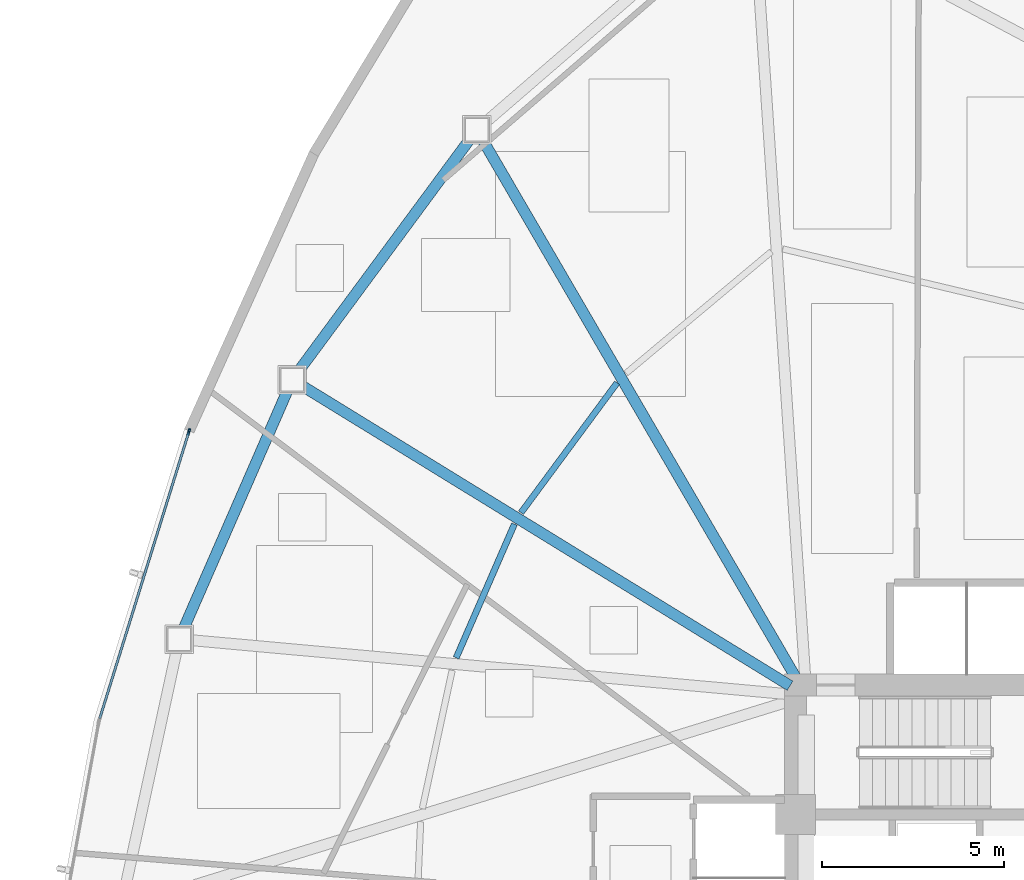
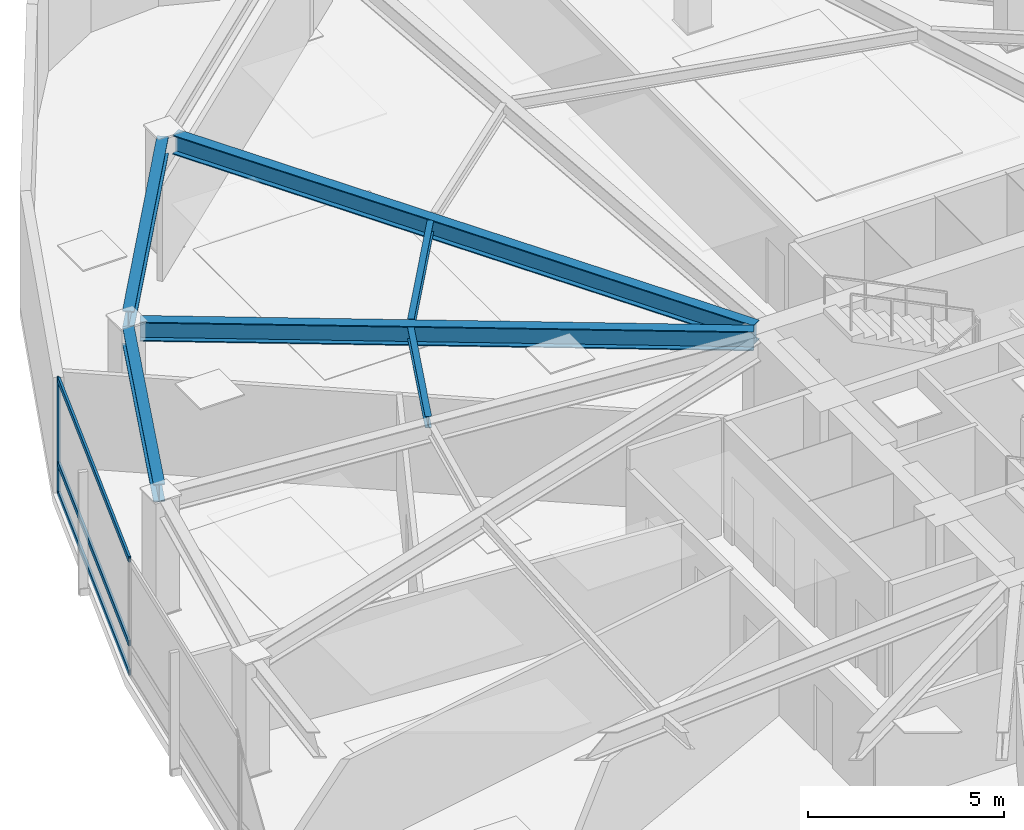
# One storey, part 7 of 17: 6 beams, 4 members, 1 element without a shape of its own.
"""IFC4 building model written with IfcOpenShell, lengths in metres."""

import ifcopenshell
import ifcopenshell.guid

model = None  # the IFC model being written
_history = None  # IfcOwnerHistory: only IFC2X3 demands one
_inside = {}  # id of a spatial element -> (the spatial element, [elements in it])
_under = {}  # id of a project, library or spatial element -> (it, [spatial elements below it])
_declared = {}  # id of a project -> (the project, [libraries it declares])
_typed = {}  # id of a type object -> (the type object, [elements of that type])
_made_of = {}  # id of a material, layer set ... -> (it, [elements and type objects made of it])


def new_model(schema):
    """Start an empty IFC model of exactly this schema.

    Asked for "IFC4X3", IfcOpenShell would pick the latest addendum, in which some entities
    have other attributes; the version numbers below select the first issue.
    IFC2X3 requires an IfcOwnerHistory on every rooted entity: one is made here for all.
    """
    global model, _history
    if schema == "IFC4X3":
        model = ifcopenshell.file(schema_version=(4, 3, 0, 0))
    else:
        model = ifcopenshell.file(schema=schema)
    _inside.clear()
    _under.clear()
    _declared.clear()
    _typed.clear()
    _made_of.clear()
    _history = None
    if model.schema == "IFC2X3":
        org = make("IfcOrganization", Name="unknown")
        user = make(
            "IfcPersonAndOrganization",
            ThePerson=make("IfcPerson", FamilyName="unknown"),
            TheOrganization=org,
        )
        app = make(
            "IfcApplication",
            ApplicationDeveloper=org,
            Version="unknown",
            ApplicationFullName="unknown",
            ApplicationIdentifier="unknown",
        )
        _history = make(
            "IfcOwnerHistory",
            OwningUser=user,
            OwningApplication=app,
            ChangeAction="ADDED",
            CreationDate=0,
        )
    return model


def make(cls, **values):
    """One entity of the class cls with the attributes given. An attribute that is None is left unset."""
    return model.create_entity(
        cls, **{name: value for name, value in values.items() if value is not None}
    )


def rooted(cls, **values):
    """An entity with a GlobalId (a new one), such as an element, a storey or a relation."""
    return make(cls, GlobalId=ifcopenshell.guid.new(), OwnerHistory=_history, **values)


def si_unit(unit_type, name, prefix=None):
    """IfcSIUnit, for example si_unit("LENGTHUNIT", "METRE", prefix="MILLI")."""
    return make("IfcSIUnit", UnitType=unit_type, Prefix=prefix, Name=name)


def assignment(units):
    """IfcUnitAssignment: the units of a project."""
    return None if units is None else make("IfcUnitAssignment", Units=units)


def point(xyz):
    """IfcCartesianPoint."""
    return None if xyz is None else make("IfcCartesianPoint", Coordinates=xyz)


def direction(xyz):
    """IfcDirection."""
    return None if xyz is None else make("IfcDirection", DirectionRatios=xyz)


def frame(location, z_axis=None, x_axis=None):
    """IfcAxis2Placement3D, a coordinate frame: its origin and axes. An axis left out is left unset."""
    return make(
        "IfcAxis2Placement3D",
        Location=point(location),
        Axis=direction(z_axis),
        RefDirection=direction(x_axis),
    )


def frame_2d(location, x_axis=None):
    """IfcAxis2Placement2D, a coordinate frame in the plane: its origin and x axis."""
    return make(
        "IfcAxis2Placement2D", Location=point(location), RefDirection=direction(x_axis)
    )


def origin():
    """The frame at (0, 0, 0) with its axes left unset."""
    return frame((0.0, 0.0, 0.0))


def origin_2d():
    """The frame at (0, 0) in the plane with its x axis left unset."""
    return frame_2d((0.0, 0.0))


def place(relative_to, where):
    """IfcLocalPlacement: puts the frame where relative to a parent placement (None: the world)."""
    return make(
        "IfcLocalPlacement", PlacementRelTo=relative_to, RelativePlacement=where
    )


def context(
    kind, dimensions, precision=None, world=None, true_north=None, identifier=None
):
    """IfcGeometricRepresentationContext, for example the 3D "Model" context."""
    return make(
        "IfcGeometricRepresentationContext",
        ContextIdentifier=identifier,
        ContextType=kind,
        CoordinateSpaceDimension=dimensions,
        Precision=precision,
        WorldCoordinateSystem=world,
        TrueNorth=true_north,
    )


def subcontext(parent, identifier, kind, view, scale=None):
    """IfcGeometricRepresentationSubContext, for example "Body" below "Model"."""
    return make(
        "IfcGeometricRepresentationSubContext",
        ContextIdentifier=identifier,
        ContextType=kind,
        ParentContext=parent,
        TargetScale=scale,
        TargetView=view,
    )


def project(units=None, contexts=None):
    """IfcProject with its units and contexts."""
    return rooted(
        "IfcProject",
        Name="project",
        RepresentationContexts=contexts,
        UnitsInContext=assignment(units),
    )


def spatial(cls, under=None, at=None, **own):
    """A site, building, storey or space (cls), placed at a placement, below another one or the project."""
    s = rooted(cls, ObjectPlacement=at, **own)
    if under is not None:
        _under.setdefault(under.id(), (under, []))[1].append(s)
    return s


def profile(cls, at=None, kind="AREA", **sizes):
    """A parametric profile (cls). Its sizes go by their IFC names, for example OverallWidth=200.0."""
    return make(cls, ProfileType=kind, Position=at, **sizes)


def hollow_rectangle(**sizes):
    """IfcRectangleHollowProfileDef."""
    return profile("IfcRectangleHollowProfileDef", **sizes)


def i_section(**sizes):
    """IfcIShapeProfileDef."""
    return profile("IfcIShapeProfileDef", **sizes)


def extrude(swept, where, along, depth):
    """IfcExtrudedAreaSolid: the profile swept, set in the frame where, extruded along a direction by depth."""
    return make(
        "IfcExtrudedAreaSolid",
        SweptArea=swept,
        Position=where,
        ExtrudedDirection=direction(along),
        Depth=depth,
    )


def shape(context_of_items, identifier, shape_type, items):
    """IfcShapeRepresentation: the items that make up one representation, for example the "Body"."""
    return make(
        "IfcShapeRepresentation",
        ContextOfItems=context_of_items,
        RepresentationIdentifier=identifier,
        RepresentationType=shape_type,
        Items=items,
    )


def source(mapping_origin, context_of_items, identifier, shape_type, items):
    """IfcRepresentationMap: a shape defined once, which mapped items show again and again."""
    return make(
        "IfcRepresentationMap",
        MappingOrigin=mapping_origin,
        MappedRepresentation=shape(context_of_items, identifier, shape_type, items),
    )


def transform(
    local_origin,
    x_axis=None,
    y_axis=None,
    z_axis=None,
    scale=None,
    scale2=None,
    scale3=None,
    uniform=True,
):
    """IfcCartesianTransformationOperator3D, or its non-uniform kind. x_axis, y_axis, z_axis: its Axis1, 2, 3."""
    if uniform:
        return make(
            "IfcCartesianTransformationOperator3D",
            Axis1=direction(x_axis),
            Axis2=direction(y_axis),
            LocalOrigin=point(local_origin),
            Scale=scale,
            Axis3=direction(z_axis),
        )
    return make(
        "IfcCartesianTransformationOperator3DnonUniform",
        Axis1=direction(x_axis),
        Axis2=direction(y_axis),
        LocalOrigin=point(local_origin),
        Scale=scale,
        Axis3=direction(z_axis),
        Scale2=scale2,
        Scale3=scale3,
    )


def mapped(mapping_source, mapping_target):
    """IfcMappedItem: shows the shape of a source again, moved by a transform."""
    return make(
        "IfcMappedItem", MappingSource=mapping_source, MappingTarget=mapping_target
    )


def material(Name=None, Category=None):
    """IfcMaterial."""
    return make("IfcMaterial", Name=Name, Category=Category)


def layer(
    of_material, thickness, ventilated=None, Name=None, Category=None, Priority=None
):
    """IfcMaterialLayer: one layer of a wall or slab, of a material (None: an air gap)."""
    return make(
        "IfcMaterialLayer",
        Material=of_material,
        LayerThickness=thickness,
        IsVentilated=ventilated,
        Name=Name,
        Category=Category,
        Priority=Priority,
    )


def layer_set(layers, Name=None):
    """IfcMaterialLayerSet."""
    return make("IfcMaterialLayerSet", MaterialLayers=layers, LayerSetName=Name)


def material_profile(
    of_material, cross_section, Name=None, Category=None, Priority=None
):
    """IfcMaterialProfile: a cross section and its material."""
    return make(
        "IfcMaterialProfile",
        Name=Name,
        Material=of_material,
        Profile=cross_section,
        Priority=Priority,
        Category=Category,
    )


def profile_set(profiles, Name=None, composite=None):
    """IfcMaterialProfileSet."""
    return make(
        "IfcMaterialProfileSet",
        Name=Name,
        MaterialProfiles=profiles,
        CompositeProfile=composite,
    )


def made_of(thing, what):
    """Note that an element or type object is made of a material, layer set ...; save() writes the relation."""
    if what is not None:
        _made_of.setdefault(what.id(), (what, []))[1].append(thing)
    return thing


def type_object(cls, material=None, **own):
    """A type object (cls), such as IfcWallType, which elements share."""
    return made_of(rooted(cls, **own), material)


def type_shapes(of_type, sources):
    """Give a type object the sources (RepresentationMaps) that its elements show as mapped items."""
    of_type.RepresentationMaps = sources


def element(
    cls,
    number,
    at=None,
    inside=None,
    cuts=None,
    type_object=None,
    material=None,
    context=None,
    identifier="Body",
    shape_type=None,
    held_by="IfcProductDefinitionShape",
    body=None,
    shapes=None,
    **own,
):
    """One element of the class cls, such as IfcWall. Its Tag is "e" and its number.

    at: its placement. inside: the storey or other place that contains it. cuts: it is an
    opening in that element (IfcRelVoidsElement). A single representation is given by context,
    identifier, shape_type and body (its items); several are given by shapes. held_by: the class
    of the entity that holds the representations. save() writes the other relations.
    """
    e = rooted(cls, Tag="e%d" % number, ObjectPlacement=at, **own)
    if body is not None:
        shapes = [shape(context, identifier, shape_type, body)]
    if shapes is not None:
        e.Representation = make(held_by, Representations=shapes)
    if inside is not None:
        _inside.setdefault(inside.id(), (inside, []))[1].append(e)
    if cuts is not None:
        rooted(
            "IfcRelVoidsElement", RelatingBuildingElement=cuts, RelatedOpeningElement=e
        )
    if type_object is not None:
        _typed.setdefault(type_object.id(), (type_object, []))[1].append(e)
    return made_of(e, material)


def aggregate(whole, parts):
    """IfcRelAggregates: a whole, such as a stair, and the parts it consists of."""
    return rooted("IfcRelAggregates", RelatingObject=whole, RelatedObjects=parts)


def save(model, path):
    """Write the relations noted so far, then the file.

    IfcRelAggregates (storeys below a building ...), IfcRelContainedInSpatialStructure (elements
    in a storey), IfcRelDefinesByType, IfcRelAssociatesMaterial and IfcRelDeclares: one each for
    every whole, place, type object, material and project.
    """
    for whole, parts in _under.values():
        aggregate(whole, parts)
    for where, things in _inside.values():
        rooted(
            "IfcRelContainedInSpatialStructure",
            RelatedElements=things,
            RelatingStructure=where,
        )
    for kind, things in _typed.values():
        rooted("IfcRelDefinesByType", RelatedObjects=things, RelatingType=kind)
    for what, things in _made_of.values():
        rooted("IfcRelAssociatesMaterial", RelatedObjects=things, RelatingMaterial=what)
    for by, libraries in _declared.values():
        rooted("IfcRelDeclares", RelatingContext=by, RelatedDefinitions=libraries)
    model.write(path)


model = new_model("IFC4")

# Units and contexts
model_context = context("Model", 3, precision=1e-05, world=origin(), true_north=direction((0.0, 1.0)))
body_context = subcontext(model_context, "Body", "Model", "MODEL_VIEW")
ifc_project = project(units=[si_unit("LENGTHUNIT", "METRE"), si_unit("AREAUNIT", "SQUARE_METRE"), si_unit("VOLUMEUNIT", "CUBIC_METRE"), si_unit("PLANEANGLEUNIT", "RADIAN"), si_unit("MASSUNIT", "GRAM", prefix="KILO")], contexts=[model_context])

# Site, building, storey
site_placement = place(None, origin())
site = spatial("IfcSite", under=ifc_project, at=site_placement, CompositionType="ELEMENT")
building_placement = place(site_placement, origin())
building = spatial("IfcBuilding", under=site, at=building_placement, Name="Tavelor Broadcast Tower", CompositionType="ELEMENT")
storey_placement = place(building_placement, frame((0.0, 0.0, 93.89990234375)))
storey = spatial("IfcBuildingStorey", under=building, at=storey_placement, Name="L22", CompositionType="ELEMENT", Elevation=93.89990234375)

# Beams
ifc_material_1 = material(Name="Steel S355", Category="steel")
ifc_material_profile_1 = material_profile(ifc_material_1, i_section(OverallWidth=0.169921875, OverallDepth=0.360107421875, WebThickness=0.008056640625, FlangeThickness=0.0126953125, at=origin_2d()), Name="IPE 360")
ifc_profile_set_1 = profile_set([ifc_material_profile_1], Name="Steel S355")
beam_type_1 = type_object("IfcBeamType", Name="Composite Floor Joist T2 IPE 360", PredefinedType="JOIST", material=ifc_profile_set_1)
beam_1_placement = place(storey_placement, frame((38.20556640625, 59.7880859375, 3.420166015625), z_axis=(-0.594699209794, -0.803948288057, 0.0), x_axis=(0.803948288057, -0.594699209794, 0.0)))
element("IfcBeam", 1, at=beam_1_placement, inside=storey, type_object=beam_type_1, Name="L22 Secondary Composite Floor Joist 02", PredefinedType="JOIST", context=body_context, shape_type="SweptSolid", body=[
    extrude(i_section(OverallWidth=0.169921875, OverallDepth=0.360107421875, WebThickness=0.008056640625, FlangeThickness=0.0126953125, at=origin_2d()), origin(), (0.0, 0.0, 1.0), 4.432373046875),
])
beam_2_placement = place(storey_placement, frame((35.3896484375, 55.9130859375, 3.420166015625), z_axis=(-0.399446150725, -0.916756659464, 0.0), x_axis=(0.916756659464, -0.399446150725, 0.0)))
element("IfcBeam", 2, at=beam_2_placement, inside=storey, type_object=beam_type_1, Name="L22 Secondary Composite Floor Joist 03", PredefinedType="JOIST", context=body_context, shape_type="SweptSolid", body=[
    extrude(i_section(OverallWidth=0.169921875, OverallDepth=0.360107421875, WebThickness=0.008056640625, FlangeThickness=0.0126953125, at=origin_2d()), origin(), (0.0, 0.0, 1.0), 4.00390625),
])
ifc_material_profile_2 = material_profile(ifc_material_1, i_section(OverallWidth=0.300048828125, OverallDepth=0.550048828125, WebThickness=0.014892578125, FlangeThickness=0.029052734375, at=origin_2d()), Name="HEB 550")
ifc_profile_set_2 = profile_set([ifc_material_profile_2], Name="Steel S355")
beam_type_2 = type_object("IfcBeamType", Name="Perimeter Spandrel Beam T2 HEB 550", PredefinedType="SPANDREL", material=ifc_profile_set_2)
beam_3_placement = place(storey_placement, frame((34.156494140625, 66.45751953125, 3.3251953125), z_axis=(-0.59411824878, -0.804377713805, 0.0), x_axis=(0.804377713805, -0.59411824878, 0.0)))
element("IfcBeam", 3, at=beam_3_placement, inside=storey, type_object=beam_type_2, Name="L22 Framed-Tube Ring Spandrel 02", PredefinedType="SPANDREL", context=body_context, shape_type="SweptSolid", body=[
    extrude(i_section(OverallWidth=0.300048828125, OverallDepth=0.550048828125, WebThickness=0.014892578125, FlangeThickness=0.029052734375, at=origin_2d()), origin(), (0.0, 0.0, 1.0), 7.8515625),
])
beam_4_placement = place(storey_placement, frame((29.157958984375, 59.5634765625, 3.3251953125), z_axis=(-0.399859236649, -0.916576560287, 0.0), x_axis=(0.916576560287, -0.399859236649, 0.0)))
element("IfcBeam", 4, at=beam_4_placement, inside=storey, type_object=beam_type_2, Name="L22 Framed-Tube Ring Spandrel 03", PredefinedType="SPANDREL", context=body_context, shape_type="SweptSolid", body=[
    extrude(i_section(OverallWidth=0.300048828125, OverallDepth=0.550048828125, WebThickness=0.014892578125, FlangeThickness=0.029052734375, at=origin_2d()), origin(), (0.0, 0.0, 1.0), 7.088623046875),
])
ifc_material_profile_3 = material_profile(ifc_material_1, i_section(OverallWidth=0.300048828125, OverallDepth=0.60009765625, WebThickness=0.015380859375, FlangeThickness=0.030029296875, at=origin_2d()), Name="HEB 600")
ifc_profile_set_3 = profile_set([ifc_material_profile_3], Name="Steel S355")
beam_type_3 = type_object("IfcBeamType", Name="Radial Floor Girder T2 HEB 600", PredefinedType="BEAM", material=ifc_profile_set_3)
beam_5_placement = place(storey_placement, frame((43.13427734375, 51.65625, 3.300048828125), z_axis=(-0.503292320279, 0.864116219237, 0.0), x_axis=(-0.864116219237, -0.503292320279, 0.0)))
element("IfcBeam", 5, at=beam_5_placement, inside=storey, type_object=beam_type_3, Name="L22 Radial Primary Floor Girder 02", PredefinedType="BEAM", context=body_context, shape_type="SweptSolid", body=[
    extrude(i_section(OverallWidth=0.300048828125, OverallDepth=0.60009765625, WebThickness=0.015380859375, FlangeThickness=0.030029296875, at=origin_2d()), origin(), (0.0, 0.0, 1.0), 17.105712890625),
])
beam_6_placement = place(storey_placement, frame((42.9501953125, 51.4765625, 3.300048828125), z_axis=(-0.851937509834, 0.523643465859, 0.0), x_axis=(-0.523643465859, -0.851937509834, 0.0)))
element("IfcBeam", 6, at=beam_6_placement, inside=storey, type_object=beam_type_3, Name="L22 Radial Primary Floor Girder 03", PredefinedType="BEAM", context=body_context, shape_type="SweptSolid", body=[
    extrude(i_section(OverallWidth=0.300048828125, OverallDepth=0.60009765625, WebThickness=0.015380859375, FlangeThickness=0.030029296875, at=origin_2d()), origin(), (0.0, 0.0, 1.0), 15.69580078125),
])

# Curtain wall, members
ifc_material_2 = material(Name="Architectural Anodized Aluminium", Category="aluminium")
ifc_layer = layer(ifc_material_2, 0.179931640625)
ifc_layer_set = layer_set([ifc_layer], Name="Architectural Anodized Aluminium")
curtain_wall_type = type_object("IfcCurtainWallType", Name="Tower Low-Zone Unitised Curtain Wall CW02", PredefinedType="NOTDEFINED", material=ifc_layer_set)
curtain_wall_placement = place(storey_placement, origin())
curtain_wall = element("IfcCurtainWall", 7, at=curtain_wall_placement, inside=storey, type_object=curtain_wall_type, Name="L22 Curtain Wall CW02 Run 217", PredefinedType="NOTDEFINED")
ifc_material_profile_4 = material_profile(ifc_material_2, hollow_rectangle(XDim=0.06494140625, YDim=0.179931640625, WallThickness=0.02197265625, at=origin_2d()), Name="RHS 65x180x22")
ifc_profile_set_4 = profile_set([ifc_material_profile_4], Name="Architectural Anodized Aluminium")
member_type_1 = type_object("IfcMemberType", Name="CW02 Extruded Aluminium Mullion 65x180", PredefinedType="MULLION", material=ifc_profile_set_4)
shared_shape_1 = source(origin(), body_context, "Body", "SweptSolid", [
    extrude(hollow_rectangle(XDim=0.06494140625, YDim=0.179931640625, WallThickness=0.02197265625, at=origin_2d()), origin(), (0.0, 0.0, 1.0), 3.60009765625),
])
type_shapes(member_type_1, [shared_shape_1])
member_1_placement = place(storey_placement, frame((26.457763671875, 58.444091796875, 0.0), z_axis=(0.0, 0.0, 1.0), x_axis=(0.954891873244, -0.296953717628, 0.0)))
member_1 = element("IfcMember", 8, at=member_1_placement, type_object=member_type_1, Name="CW02 mullion 1", PredefinedType="MULLION", context=body_context, shape_type="MappedRepresentation", body=[
    mapped(shared_shape_1, transform((0.0, 0.0, 0.0), scale=1.0)),
])
ifc_material_profile_5 = material_profile(ifc_material_2, hollow_rectangle(XDim=0.06494140625, YDim=0.179931640625, WallThickness=0.02197265625, at=origin_2d()), Name="RHS 65x180x22")
ifc_profile_set_5 = profile_set([ifc_material_profile_5], Name="Architectural Anodized Aluminium")
member_type_2 = type_object("IfcMemberType", Name="CW02 Extruded Aluminium Transom 65x180", PredefinedType="USERDEFINED", material=ifc_profile_set_5)
shared_shape_2 = source(origin(), body_context, "Body", "SweptSolid", [
    extrude(hollow_rectangle(XDim=0.06494140625, YDim=0.179931640625, WallThickness=0.02197265625, at=origin_2d()), origin(), (0.0, 0.0, 1.0), 8.201904296875),
])
type_shapes(member_type_2, [shared_shape_2])
member_2_placement = place(storey_placement, frame((26.447998046875, 58.4130859375, 0.03271484375), z_axis=(-0.296945931498, -0.954894294551, 0.0), x_axis=(0.954894294551, -0.296945931498, 0.0)))
member_2 = element("IfcMember", 9, at=member_2_placement, type_object=member_type_2, Name="CW02 transom 1.1", ObjectType="TRANSOM", PredefinedType="USERDEFINED", context=body_context, shape_type="MappedRepresentation", body=[
    mapped(shared_shape_2, transform((0.0, 0.0, 0.0), scale=1.0)),
])
member_3_placement = place(storey_placement, frame((26.447998046875, 58.4130859375, 0.9501953125), z_axis=(-0.296945931498, -0.954894294551, 0.0), x_axis=(0.954894294551, -0.296945931498, 0.0)))
member_3 = element("IfcMember", 10, at=member_3_placement, type_object=member_type_2, Name="CW02 transom 1.2", ObjectType="TRANSOM", PredefinedType="USERDEFINED", context=body_context, shape_type="MappedRepresentation", body=[
    mapped(shared_shape_2, transform((0.0, 0.0, 0.0), scale=1.0)),
])
member_4_placement = place(storey_placement, frame((26.447998046875, 58.4130859375, 3.567626953125), z_axis=(-0.296945931498, -0.954894294551, 0.0), x_axis=(0.954894294551, -0.296945931498, 0.0)))
member_4 = element("IfcMember", 11, at=member_4_placement, type_object=member_type_2, Name="CW02 transom 1.3", ObjectType="TRANSOM", PredefinedType="USERDEFINED", context=body_context, shape_type="MappedRepresentation", body=[
    mapped(shared_shape_2, transform((0.0, 0.0, 0.0), scale=1.0)),
])
aggregate(curtain_wall, [member_1, member_2, member_3, member_4])

save(model, "model.ifc")
